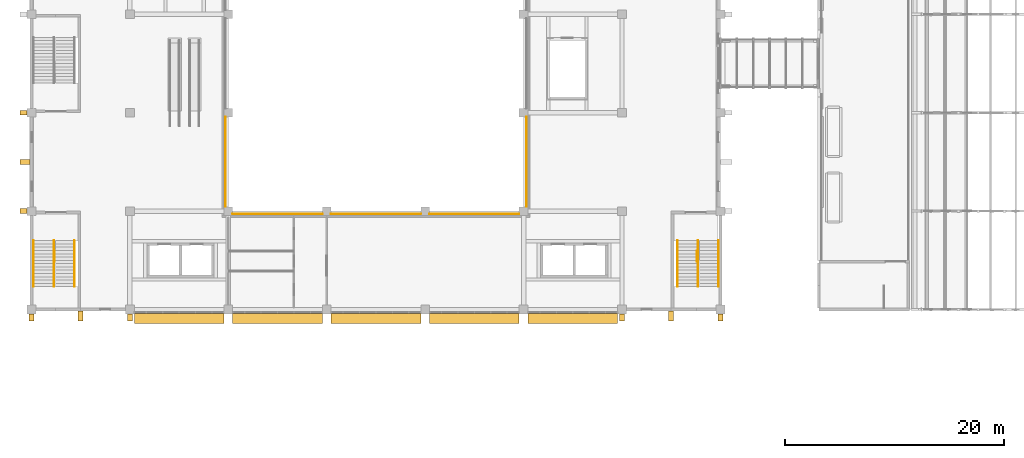
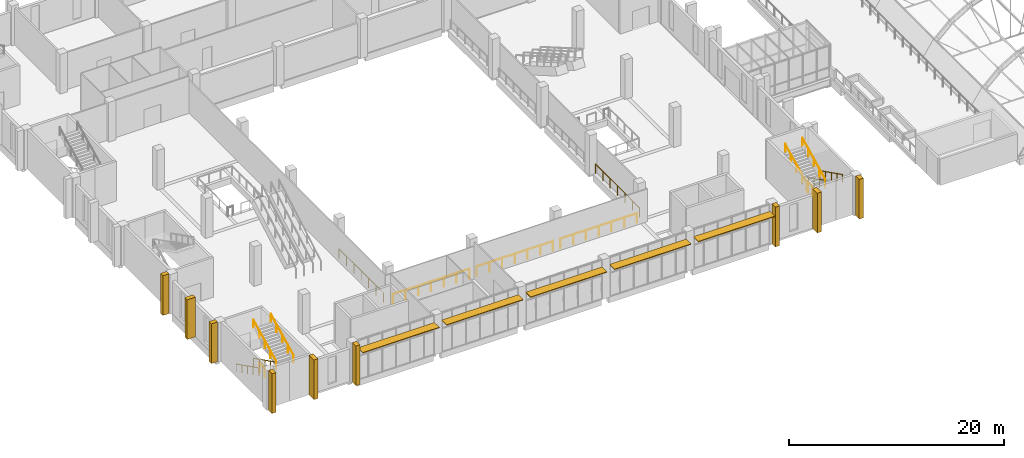
# One storey, part 71 of 79: 15 railings, 9 coverings, 5 shading devices.
"""IFC4 building model written with IfcOpenShell, lengths in metres."""

from ifc_helpers import new_model, si_unit, direction, frame, origin, origin_2d, place, context, subcontext, project, spatial, rectangle, circle, extrude, material, layer, layer_set, type_object, element, save


model = new_model("IFC4")

# Units and contexts
model_context = context("Model", 3, precision=1e-05, world=origin(), true_north=direction((0.0, 1.0)))
body_context = subcontext(model_context, "Body", "Model", "MODEL_VIEW")
ifc_project = project(units=[si_unit("LENGTHUNIT", "METRE"), si_unit("AREAUNIT", "SQUARE_METRE"), si_unit("VOLUMEUNIT", "CUBIC_METRE"), si_unit("PLANEANGLEUNIT", "RADIAN"), si_unit("MASSUNIT", "GRAM", prefix="KILO")], contexts=[model_context])

# Site, building, storey
site_placement = place(None, origin())
site = spatial("IfcSite", under=ifc_project, at=site_placement, CompositionType="ELEMENT")
building_placement = place(site_placement, origin())
building = spatial("IfcBuilding", under=site, at=building_placement, Name="Guidao Yard Department Store", CompositionType="ELEMENT")
storey_placement = place(building_placement, frame((0.0, 0.0, 15.0)))
storey = spatial("IfcBuildingStorey", under=building, at=storey_placement, Name="L03", CompositionType="ELEMENT", Elevation=15.0)

# Railings
ifc_material_1 = material(Name="Steel Q235", Category="steel")
railing_type_1 = type_object("IfcRailingType", Name="Guard steel balustrade 1100", PredefinedType="GUARDRAIL", material=ifc_material_1)
for number, where, name in (
    (1, (60.875, 50.3701171875, 0.0), "Stair A2 guard L03 2"),
    (2, (2.125, 50.3701171875, 0.0), "Stair A8 guard L03 8"),
):
    element("IfcRailing", number, at=place(storey_placement, frame(where)), inside=storey, type_object=railing_type_1, Name=name, PredefinedType="GUARDRAIL", context=body_context, shape_type="SweptSolid", body=[
        extrude(circle(Radius=0.02392578125, at=origin_2d()), frame((0.0, 0.0, 1.076171875), z_axis=(0.0, -1.0, 0.0), x_axis=(1.0, 0.0, 0.0)), (0.0, 0.0, 1.0), 1.0),
        extrude(circle(Radius=0.02099609375, at=origin_2d()), origin(), (0.0, 0.0, 1.0), 1.052001953125),
        extrude(circle(Radius=0.02099609375, at=origin_2d()), frame((0.0, -1.0, 0.0)), (0.0, 0.0, 1.0), 1.052001953125),
    ])
for number, where, name in (
    (3, (18.39990234375, 53.75, 0.0), "Guard atrium S L03"),
    (4, (27.39990234375, 53.75, 0.0), "Guard atrium S L03"),
    (5, (36.39990234375, 53.75, 0.0), "Guard atrium S L03"),
):
    element("IfcRailing", number, at=place(storey_placement, frame(where)), inside=storey, type_object=railing_type_1, Name=name, PredefinedType="GUARDRAIL", context=body_context, shape_type="SweptSolid", body=[
        extrude(circle(Radius=0.02392578125, at=origin_2d()), frame((0.0, 0.0, 1.076171875), z_axis=(1.0, 0.0, 0.0), x_axis=(0.0, 1.0, 0.0)), (0.0, 0.0, 1.0), 8.2001953125),
        extrude(circle(Radius=0.02099609375, at=origin_2d()), origin(), (0.0, 0.0, 1.0), 1.052001953125),
        extrude(circle(Radius=0.02099609375, at=origin_2d()), frame((1.36669921875, 0.0, 0.0)), (0.0, 0.0, 1.0), 1.052001953125),
        extrude(circle(Radius=0.02099609375, at=origin_2d()), frame((2.7333984375, 0.0, 0.0)), (0.0, 0.0, 1.0), 1.052001953125),
        extrude(circle(Radius=0.02099609375, at=origin_2d()), frame((4.10009765625, 0.0, 0.0)), (0.0, 0.0, 1.0), 1.052001953125),
        extrude(circle(Radius=0.02099609375, at=origin_2d()), frame((5.466796875, 0.0, 0.0)), (0.0, 0.0, 1.0), 1.052001953125),
        extrude(circle(Radius=0.02099609375, at=origin_2d()), frame((6.83349609375, 0.0, 0.0)), (0.0, 0.0, 1.0), 1.052001953125),
        extrude(circle(Radius=0.02099609375, at=origin_2d()), frame((8.2001953125, 0.0, 0.0)), (0.0, 0.0, 1.0), 1.052001953125),
    ])
railing_1_placement = place(storey_placement, frame((45.25, 54.39990234375, 0.0)))
element("IfcRailing", 6, at=railing_1_placement, inside=storey, type_object=railing_type_1, Name="Guard atrium E L03", PredefinedType="GUARDRAIL", context=body_context, shape_type="SweptSolid", body=[
    extrude(circle(Radius=0.02392578125, at=origin_2d()), frame((0.0, 0.0, 1.076171875), z_axis=(0.0, 1.0, 0.0), x_axis=(-1.0, 0.0, 0.0)), (0.0, 0.0, 1.0), 8.2001953125),
    extrude(circle(Radius=0.02099609375, at=origin_2d()), origin(), (0.0, 0.0, 1.0), 1.052001953125),
    extrude(circle(Radius=0.02099609375, at=origin_2d()), frame((0.0, 1.36669921875, 0.0)), (0.0, 0.0, 1.0), 1.052001953125),
    extrude(circle(Radius=0.02099609375, at=origin_2d()), frame((0.0, 2.7333984375, 0.0)), (0.0, 0.0, 1.0), 1.052001953125),
    extrude(circle(Radius=0.02099609375, at=origin_2d()), frame((0.0, 4.10009765625, 0.0)), (0.0, 0.0, 1.0), 1.052001953125),
    extrude(circle(Radius=0.02099609375, at=origin_2d()), frame((0.0, 5.466796875, 0.0)), (0.0, 0.0, 1.0), 1.052001953125),
    extrude(circle(Radius=0.02099609375, at=origin_2d()), frame((0.0, 6.83349609375, 0.0)), (0.0, 0.0, 1.0), 1.052001953125),
    extrude(circle(Radius=0.02099609375, at=origin_2d()), frame((0.0, 8.2001953125, 0.0)), (0.0, 0.0, 1.0), 1.052001953125),
])
railing_2_placement = place(storey_placement, frame((17.75, 62.60009765625, 0.0)))
element("IfcRailing", 7, at=railing_2_placement, inside=storey, type_object=railing_type_1, Name="Guard atrium W L03", PredefinedType="GUARDRAIL", context=body_context, shape_type="SweptSolid", body=[
    extrude(circle(Radius=0.02392578125, at=origin_2d()), frame((0.0, 0.0, 1.076171875), z_axis=(0.0, -1.0, 0.0), x_axis=(1.0, 0.0, 0.0)), (0.0, 0.0, 1.0), 8.2001953125),
    extrude(circle(Radius=0.02099609375, at=origin_2d()), origin(), (0.0, 0.0, 1.0), 1.052001953125),
    extrude(circle(Radius=0.02099609375, at=origin_2d()), frame((0.0, -1.36669921875, 0.0)), (0.0, 0.0, 1.0), 1.052001953125),
    extrude(circle(Radius=0.02099609375, at=origin_2d()), frame((0.0, -2.7333984375, 0.0)), (0.0, 0.0, 1.0), 1.052001953125),
    extrude(circle(Radius=0.02099609375, at=origin_2d()), frame((0.0, -4.10009765625, 0.0)), (0.0, 0.0, 1.0), 1.052001953125),
    extrude(circle(Radius=0.02099609375, at=origin_2d()), frame((0.0, -5.466796875, 0.0)), (0.0, 0.0, 1.0), 1.052001953125),
    extrude(circle(Radius=0.02099609375, at=origin_2d()), frame((0.0, -6.83349609375, 0.0)), (0.0, 0.0, 1.0), 1.052001953125),
    extrude(circle(Radius=0.02099609375, at=origin_2d()), frame((0.0, -8.2001953125, 0.0)), (0.0, 0.0, 1.0), 1.052001953125),
])
ifc_material_2 = material(Name="Steel Q235", Category="steel")
railing_type_2 = type_object("IfcRailingType", Name="Handrail steel tube 48", PredefinedType="HANDRAIL", material=ifc_material_2)
for number, where, name in (
    (8, (62.81494140625, 51.300048828125, 0.14990234375), "Stair A2 hand rail L03 5"),
    (9, (60.949951171875, 51.300048828125, 0.14990234375), "Stair A2 hand rail L03 6"),
):
    element("IfcRailing", number, at=place(storey_placement, frame(where)), inside=storey, type_object=railing_type_2, Name=name, PredefinedType="HANDRAIL", context=body_context, shape_type="SweptSolid", body=[
        extrude(circle(Radius=0.02392578125, at=origin_2d()), frame((0.0, 0.0, 0.8759765625), z_axis=(0.0, -0.894416792377, 0.447234392142), x_axis=(1.0, 0.0, 0.0)), (0.0, 0.0, 1.0), 4.69580078125),
        extrude(circle(Radius=0.02099609375, at=origin_2d()), origin(), (0.0, 0.0, 1.0), 0.851806640625),
        extrude(circle(Radius=0.02099609375, at=origin_2d()), frame((0.0, -1.050048828125, 0.52490234375)), (0.0, 0.0, 1.0), 0.851806640625),
        extrude(circle(Radius=0.02099609375, at=origin_2d()), frame((0.0, -2.10009765625, 1.050048828125)), (0.0, 0.0, 1.0), 0.851806640625),
        extrude(circle(Radius=0.02099609375, at=origin_2d()), frame((0.0, -3.14990234375, 1.5751953125)), (0.0, 0.0, 1.0), 0.851806640625),
        extrude(circle(Radius=0.02099609375, at=origin_2d()), frame((0.0, -4.199951171875, 2.10009765625)), (0.0, 0.0, 1.0), 0.851806640625),
    ])
for number, where, name in (
    (10, (59.0849609375, 47.10009765625, 2.39990234375), "Stair A2 hand rail L03 7"),
    (11, (60.949951171875, 47.10009765625, 2.39990234375), "Stair A2 hand rail L03 8"),
):
    element("IfcRailing", number, at=place(storey_placement, frame(where)), inside=storey, type_object=railing_type_2, Name=name, PredefinedType="HANDRAIL", context=body_context, shape_type="SweptSolid", body=[
        extrude(circle(Radius=0.02392578125, at=origin_2d()), frame((0.0, 0.0, 0.8759765625), z_axis=(0.0, 0.894416792377, 0.447234392142), x_axis=(-1.0, 0.0, 0.0)), (0.0, 0.0, 1.0), 4.69580078125),
        extrude(circle(Radius=0.02099609375, at=origin_2d()), origin(), (0.0, 0.0, 1.0), 0.851806640625),
        extrude(circle(Radius=0.02099609375, at=origin_2d()), frame((0.0, 1.050048828125, 0.52490234375)), (0.0, 0.0, 1.0), 0.851806640625),
        extrude(circle(Radius=0.02099609375, at=origin_2d()), frame((0.0, 2.10009765625, 1.050048828125)), (0.0, 0.0, 1.0), 0.851806640625),
        extrude(circle(Radius=0.02099609375, at=origin_2d()), frame((0.0, 3.14990234375, 1.5751953125)), (0.0, 0.0, 1.0), 0.851806640625),
        extrude(circle(Radius=0.02099609375, at=origin_2d()), frame((0.0, 4.199951171875, 2.10009765625)), (0.0, 0.0, 1.0), 0.851806640625),
    ])
for number, where, name in (
    (12, (0.18505859375, 51.300048828125, 0.14990234375), "Stair A8 hand rail L03 29"),
    (13, (2.050048828125, 51.300048828125, 0.14990234375), "Stair A8 hand rail L03 30"),
):
    element("IfcRailing", number, at=place(storey_placement, frame(where)), inside=storey, type_object=railing_type_2, Name=name, PredefinedType="HANDRAIL", context=body_context, shape_type="SweptSolid", body=[
        extrude(circle(Radius=0.02392578125, at=origin_2d()), frame((0.0, 0.0, 0.8759765625), z_axis=(0.0, -0.894416792377, 0.447234392142), x_axis=(1.0, 0.0, 0.0)), (0.0, 0.0, 1.0), 4.69580078125),
        extrude(circle(Radius=0.02099609375, at=origin_2d()), origin(), (0.0, 0.0, 1.0), 0.851806640625),
        extrude(circle(Radius=0.02099609375, at=origin_2d()), frame((0.0, -1.050048828125, 0.52490234375)), (0.0, 0.0, 1.0), 0.851806640625),
        extrude(circle(Radius=0.02099609375, at=origin_2d()), frame((0.0, -2.10009765625, 1.050048828125)), (0.0, 0.0, 1.0), 0.851806640625),
        extrude(circle(Radius=0.02099609375, at=origin_2d()), frame((0.0, -3.14990234375, 1.5751953125)), (0.0, 0.0, 1.0), 0.851806640625),
        extrude(circle(Radius=0.02099609375, at=origin_2d()), frame((0.0, -4.199951171875, 2.10009765625)), (0.0, 0.0, 1.0), 0.851806640625),
    ])
for number, where, name in (
    (14, (3.9150390625, 47.10009765625, 2.39990234375), "Stair A8 hand rail L03 31"),
    (15, (2.050048828125, 47.10009765625, 2.39990234375), "Stair A8 hand rail L03 32"),
):
    element("IfcRailing", number, at=place(storey_placement, frame(where)), inside=storey, type_object=railing_type_2, Name=name, PredefinedType="HANDRAIL", context=body_context, shape_type="SweptSolid", body=[
        extrude(circle(Radius=0.02392578125, at=origin_2d()), frame((0.0, 0.0, 0.8759765625), z_axis=(0.0, 0.894416792377, 0.447234392142), x_axis=(-1.0, 0.0, 0.0)), (0.0, 0.0, 1.0), 4.69580078125),
        extrude(circle(Radius=0.02099609375, at=origin_2d()), origin(), (0.0, 0.0, 1.0), 0.851806640625),
        extrude(circle(Radius=0.02099609375, at=origin_2d()), frame((0.0, 1.050048828125, 0.52490234375)), (0.0, 0.0, 1.0), 0.851806640625),
        extrude(circle(Radius=0.02099609375, at=origin_2d()), frame((0.0, 2.10009765625, 1.050048828125)), (0.0, 0.0, 1.0), 0.851806640625),
        extrude(circle(Radius=0.02099609375, at=origin_2d()), frame((0.0, 3.14990234375, 1.5751953125)), (0.0, 0.0, 1.0), 0.851806640625),
        extrude(circle(Radius=0.02099609375, at=origin_2d()), frame((0.0, 4.199951171875, 2.10009765625)), (0.0, 0.0, 1.0), 0.851806640625),
    ])

# Coverings
ifc_material_3 = material(Name="Precast concrete C40/50", Category="concrete")
ifc_layer_1 = layer(ifc_material_3, 0.449951171875)
ifc_layer_set_1 = layer_set([ifc_layer_1], Name="Precast fin FN1 board-formed concrete")
covering_type = type_object("IfcCoveringType", Name="Precast fin FN1 board-formed concrete", PredefinedType="CLADDING", material=ifc_layer_set_1)
covering_1_placement = place(storey_placement, frame((0.0, 44.27490234375, 0.0), z_axis=(0.0, 0.0, 1.0), x_axis=(-1.0, 0.0, 0.0)))
element("IfcCovering", 16, at=covering_1_placement, inside=storey, type_object=covering_type, Name="Precast fin", PredefinedType="CLADDING", context=body_context, shape_type="SweptSolid", body=[
    extrude(rectangle(XDim=0.449951171875, YDim=0.64990234375, at=origin_2d()), origin(), (0.0, 0.0, 1.0), 4.5),
])
covering_2_placement = place(storey_placement, frame((4.5, 44.39990234375, 0.0), z_axis=(0.0, 0.0, 1.0), x_axis=(-1.0, 0.0, 0.0)))
element("IfcCovering", 17, at=covering_2_placement, inside=storey, type_object=covering_type, Name="Precast fin", PredefinedType="CLADDING", context=body_context, shape_type="SweptSolid", body=[
    extrude(rectangle(XDim=0.449951171875, YDim=0.89990234375, at=origin_2d()), origin(), (0.0, 0.0, 1.0), 4.5),
])
for number, where, z_axis, x_axis, name in (
    (18, (9.0, 44.27490234375, 0.0), (0.0, 0.0, 1.0), (-1.0, 0.0, 0.0), "Precast fin"),
    (19, (54.0, 44.27490234375, 0.0), (0.0, 0.0, 1.0), (-1.0, 0.0, 0.0), "Precast fin"),
):
    element("IfcCovering", number, at=place(storey_placement, frame(where, z_axis=z_axis, x_axis=x_axis)), inside=storey, type_object=covering_type, Name=name, PredefinedType="CLADDING", context=body_context, shape_type="SweptSolid", body=[
        extrude(rectangle(XDim=0.449951171875, YDim=0.64990234375, at=origin_2d()), origin(), (0.0, 0.0, 1.0), 4.5),
    ])
covering_3_placement = place(storey_placement, frame((58.5, 44.39990234375, 0.0), z_axis=(0.0, 0.0, 1.0), x_axis=(-1.0, 0.0, 0.0)))
element("IfcCovering", 20, at=covering_3_placement, inside=storey, type_object=covering_type, Name="Precast fin", PredefinedType="CLADDING", context=body_context, shape_type="SweptSolid", body=[
    extrude(rectangle(XDim=0.449951171875, YDim=0.89990234375, at=origin_2d()), origin(), (0.0, 0.0, 1.0), 4.5),
])
for number, where, z_axis, x_axis, name in (
    (21, (63.0, 44.27490234375, 0.0), (0.0, 0.0, 1.0), (-1.0, 0.0, 0.0), "Precast fin"),
    (22, (-0.72509765625, 54.0, 0.0), (0.0, 0.0, 1.0), (0.0, 1.0, 0.0), "Precast fin"),
):
    element("IfcCovering", number, at=place(storey_placement, frame(where, z_axis=z_axis, x_axis=x_axis)), inside=storey, type_object=covering_type, Name=name, PredefinedType="CLADDING", context=body_context, shape_type="SweptSolid", body=[
        extrude(rectangle(XDim=0.449951171875, YDim=0.64990234375, at=origin_2d()), origin(), (0.0, 0.0, 1.0), 4.5),
    ])
covering_4_placement = place(storey_placement, frame((-0.60009765625, 58.5, 0.0), z_axis=(0.0, 0.0, 1.0), x_axis=(0.0, 1.0, 0.0)))
element("IfcCovering", 23, at=covering_4_placement, inside=storey, type_object=covering_type, Name="Precast fin", PredefinedType="CLADDING", context=body_context, shape_type="SweptSolid", body=[
    extrude(rectangle(XDim=0.449951171875, YDim=0.89990234375, at=origin_2d()), origin(), (0.0, 0.0, 1.0), 4.5),
])
covering_5_placement = place(storey_placement, frame((-0.72509765625, 63.0, 0.0), z_axis=(0.0, 0.0, 1.0), x_axis=(0.0, 1.0, 0.0)))
element("IfcCovering", 24, at=covering_5_placement, inside=storey, type_object=covering_type, Name="Precast fin", PredefinedType="CLADDING", context=body_context, shape_type="SweptSolid", body=[
    extrude(rectangle(XDim=0.449951171875, YDim=0.64990234375, at=origin_2d()), origin(), (0.0, 0.0, 1.0), 4.5),
])

# Shading devices
ifc_material_4 = material(Name="Aluminium 6063-T5", Category="aluminium")
ifc_layer_2 = layer(ifc_material_4, 0.080078125)
ifc_layer_set_2 = layer_set([ifc_layer_2], Name="Sunshade blade SB1 aluminium")
shading_device_type = type_object("IfcShadingDeviceType", Name="Sunshade blade SB1 aluminium", PredefinedType="SHUTTER", material=ifc_layer_set_2)
for number, where, z_axis, x_axis, name in (
    (25, (13.5, 44.18994140625, 3.599853515625), (0.0, 0.0, 1.0), (-1.0, 0.0, 0.0), "Sunshade blade"),
    (26, (22.5, 44.18994140625, 3.599853515625), (0.0, 0.0, 1.0), (-1.0, 0.0, 0.0), "Sunshade blade"),
    (27, (31.5, 44.18994140625, 3.599853515625), (0.0, 0.0, 1.0), (-1.0, 0.0, 0.0), "Sunshade blade"),
    (28, (40.5, 44.18994140625, 3.599853515625), (0.0, 0.0, 1.0), (-1.0, 0.0, 0.0), "Sunshade blade"),
    (29, (49.5, 44.18994140625, 3.599853515625), (0.0, 0.0, 1.0), (-1.0, 0.0, 0.0), "Sunshade blade"),
):
    element("IfcShadingDevice", number, at=place(storey_placement, frame(where, z_axis=z_axis, x_axis=x_axis)), inside=storey, type_object=shading_device_type, Name=name, PredefinedType="SHUTTER", context=body_context, shape_type="SweptSolid", body=[
        extrude(rectangle(XDim=8.199951171875, YDim=0.89990234375, at=origin_2d()), origin(), (0.0, 0.0, 1.0), 0.080078125),
    ])

save(model, "model.ifc")
